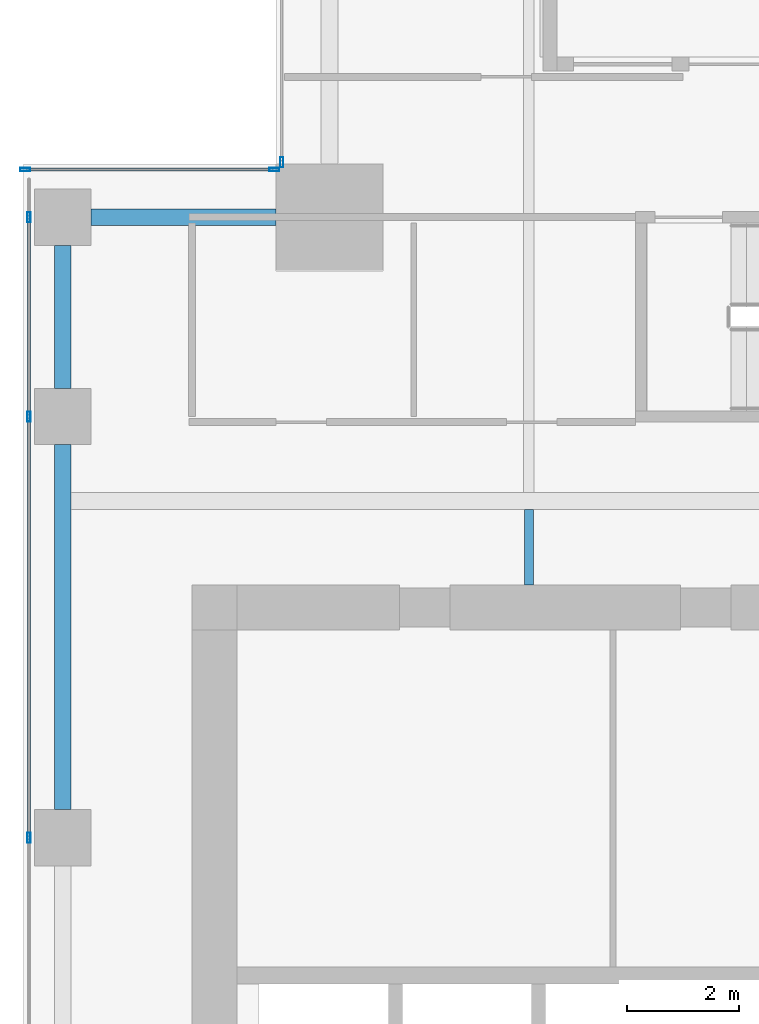
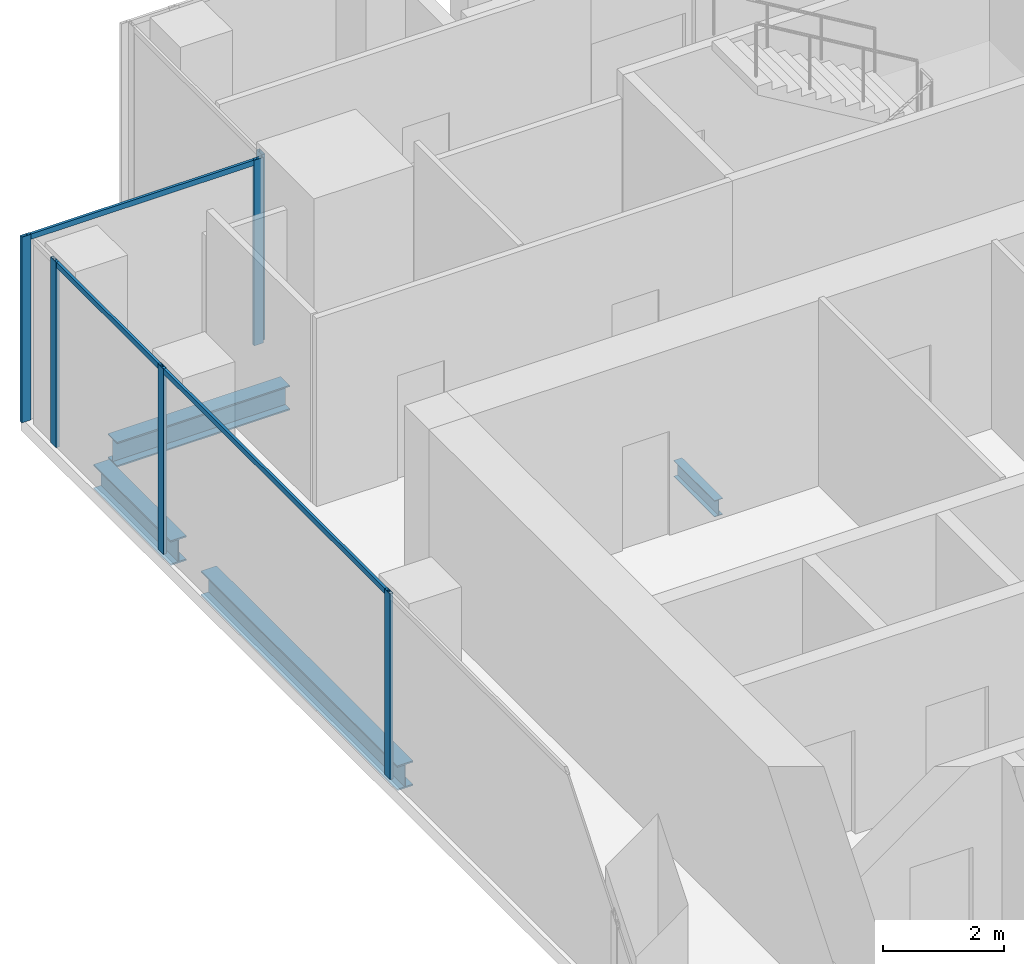
# One storey, part 17 of 38: 9 members, 4 beams, 3 elements without a shape of their own.
"""IFC4 building model written with IfcOpenShell, lengths in metres."""

from ifc_helpers import new_model, si_unit, direction, frame, origin, origin_2d, place, context, subcontext, project, spatial, hollow_rectangle, i_section, extrude, source, transform, mapped, material, material_profile, profile_set, type_object, element, aggregate, save


model = new_model("IFC4")

# Units and contexts
model_context = context("Model", 3, precision=1e-05, world=origin(), true_north=direction((0.0, 1.0)))
body_context = subcontext(model_context, "Body", "Model", "MODEL_VIEW")
ifc_project = project(units=[si_unit("LENGTHUNIT", "METRE"), si_unit("AREAUNIT", "SQUARE_METRE"), si_unit("VOLUMEUNIT", "CUBIC_METRE"), si_unit("PLANEANGLEUNIT", "RADIAN"), si_unit("MASSUNIT", "GRAM", prefix="KILO")], contexts=[model_context])

# Site, building, storey
site_placement = place(None, origin())
site = spatial("IfcSite", under=ifc_project, at=site_placement, CompositionType="ELEMENT")
building_placement = place(site_placement, origin())
building = spatial("IfcBuilding", under=site, at=building_placement, Name="Khomas Fold Tower", CompositionType="ELEMENT")
storey_placement = place(building_placement, frame((0.0, 0.0, 208.699951171875)))
storey = spatial("IfcBuildingStorey", under=building, at=storey_placement, Name="L46", CompositionType="ELEMENT", Elevation=208.699951171875)

# Beams
ifc_material_1 = material(Name="Steel S355", Category="steel")
ifc_material_profile_1 = material_profile(ifc_material_1, i_section(OverallWidth=0.300048828125, OverallDepth=0.5, WebThickness=0.014404296875, FlangeThickness=0.028076171875, at=origin_2d()), Name="HE 500 B")
ifc_profile_set_1 = profile_set([ifc_material_profile_1], Name="Steel S355")
beam_type_1 = type_object("IfcBeamType", Name="HE 500 B spandrel SB3", PredefinedType="SPANDREL", material=ifc_profile_set_1)
shared_shape_1 = source(origin(), body_context, "Body", "SweptSolid", [
    extrude(i_section(OverallWidth=0.300048828125, OverallDepth=0.5, WebThickness=0.014404296875, FlangeThickness=0.028076171875, at=origin_2d()), origin(), (0.0, 0.0, 1.0), 2.550048828125),
])
beam_1_placement = place(storey_placement, frame((3.699951171875, 42.5, -0.5), z_axis=(0.0, 1.0, 0.0), x_axis=(-1.0, 0.0, 0.0)))
element("IfcBeam", 1, at=beam_1_placement, inside=storey, type_object=beam_type_1, Name="SB3", PredefinedType="SPANDREL", context=body_context, shape_type="MappedRepresentation", body=[
    mapped(shared_shape_1, transform((0.0, 0.0, 0.0))),
])
shared_shape_2 = source(origin(), body_context, "Body", "SweptSolid", [
    extrude(i_section(OverallWidth=0.300048828125, OverallDepth=0.5, WebThickness=0.014404296875, FlangeThickness=0.028076171875, at=origin_2d()), origin(), (0.0, 0.0, 1.0), 6.5),
])
beam_2_placement = place(storey_placement, frame((3.699951171875, 35.0, -0.5), z_axis=(0.0, 1.0, 0.0), x_axis=(-1.0, 0.0, 0.0)))
element("IfcBeam", 2, at=beam_2_placement, inside=storey, type_object=beam_type_1, Name="SB3", PredefinedType="SPANDREL", context=body_context, shape_type="MappedRepresentation", body=[
    mapped(shared_shape_2, transform((0.0, 0.0, 0.0))),
])
shared_shape_3 = source(origin(), body_context, "Body", "SweptSolid", [
    extrude(i_section(OverallWidth=0.300048828125, OverallDepth=0.5, WebThickness=0.014404296875, FlangeThickness=0.028076171875, at=origin_2d()), origin(), (0.0, 0.0, 1.0), 3.300048828125),
])
beam_3_placement = place(storey_placement, frame((4.199951171875, 45.550048828125, -0.5), z_axis=(1.0, 0.0, 0.0), x_axis=(0.0, 1.0, 0.0)))
element("IfcBeam", 3, at=beam_3_placement, inside=storey, type_object=beam_type_1, Name="SB3", PredefinedType="SPANDREL", context=body_context, shape_type="MappedRepresentation", body=[
    mapped(shared_shape_3, transform((0.0, 0.0, 0.0))),
])
ifc_material_2 = material(Name="Steel S355", Category="steel")
ifc_material_profile_2 = material_profile(ifc_material_2, i_section(OverallWidth=0.159912109375, OverallDepth=0.330078125, WebThickness=0.007568359375, FlangeThickness=0.011474609375, at=origin_2d()), Name="IPE 330")
ifc_profile_set_2 = profile_set([ifc_material_profile_2], Name="Steel S355")
beam_type_2 = type_object("IfcBeamType", Name="IPE 330 beam JB1", PredefinedType="BEAM", material=ifc_profile_set_2)
shared_shape_4 = source(origin(), body_context, "Body", "SweptSolid", [
    extrude(i_section(OverallWidth=0.159912109375, OverallDepth=0.330078125, WebThickness=0.007568359375, FlangeThickness=0.011474609375, at=origin_2d()), origin(), (0.0, 0.0, 1.0), 1.35009765625),
])
beam_4_placement = place(storey_placement, frame((12.0, 39.0, -0.4150390625), z_axis=(0.0, 1.0, 0.0), x_axis=(-1.0, 0.0, 0.0)))
element("IfcBeam", 4, at=beam_4_placement, inside=storey, type_object=beam_type_2, Name="JB1", PredefinedType="BEAM", context=body_context, shape_type="MappedRepresentation", body=[
    mapped(shared_shape_4, transform((0.0, 0.0, 0.0))),
])

# Curtain wall, member
ifc_material_3 = material(Name="Aluminium framed double glazing", Category="aluminium")
curtain_wall_type = type_object("IfcCurtainWallType", Name="SK-Unitised clear-glass wall, office floors CW2", PredefinedType="NOTDEFINED", material=ifc_material_3)
curtain_wall_1_placement = place(storey_placement, origin())
curtain_wall_1 = element("IfcCurtainWall", 5, at=curtain_wall_1_placement, inside=storey, type_object=curtain_wall_type, Name="CW2 corner return L46 07", PredefinedType="NOTDEFINED")
ifc_material_4 = material(Name="Aluminium", Category="aluminium")
ifc_material_profile_3 = material_profile(ifc_material_4, hollow_rectangle(XDim=0.06005859375, YDim=0.179931640625, WallThickness=0.00390625, at=origin_2d()), Name="SK-Unitised clear-glass wall, office floors mullion CW2-M")
ifc_profile_set_3 = profile_set([ifc_material_profile_3], Name="Aluminium")
member_type_1 = type_object("IfcMemberType", Name="SK-Unitised clear-glass wall, office floors mullion CW2-M", PredefinedType="MULLION", material=ifc_profile_set_3)
shared_shape_5 = source(origin(), body_context, "Body", "SweptSolid", [
    extrude(hollow_rectangle(XDim=0.06005859375, YDim=0.179931640625, WallThickness=0.00390625, at=origin_2d()), origin(), (0.0, 0.0, 1.0), 3.75),
])
member_1_placement = place(storey_placement, frame((7.60009765625, 46.530029296875, 0.0), z_axis=(0.0, 0.0, 1.0), x_axis=(1.0, 0.0, 0.0)))
member_1 = element("IfcMember", 6, at=member_1_placement, type_object=member_type_1, Name="CW2 mullion 2", PredefinedType="MULLION", context=body_context, shape_type="MappedRepresentation", body=[
    mapped(shared_shape_5, transform((0.0, 0.0, 0.0))),
])
aggregate(curtain_wall_1, [member_1])

# Curtain wall, members
curtain_wall_2_placement = place(storey_placement, origin())
curtain_wall_2 = element("IfcCurtainWall", 7, at=curtain_wall_2_placement, inside=storey, type_object=curtain_wall_type, Name="CW2 corner return L46 08", PredefinedType="NOTDEFINED")
member_2_placement = place(storey_placement, frame((7.469970703125, 46.39990234375, 0.0), z_axis=(0.0, 0.0, 1.0), x_axis=(0.0, -1.0, 0.0)))
member_2 = element("IfcMember", 8, at=member_2_placement, type_object=member_type_1, Name="CW2 mullion 1", PredefinedType="MULLION", context=body_context, shape_type="MappedRepresentation", body=[
    mapped(shared_shape_5, transform((0.0, 0.0, 0.0))),
])
member_3_placement = place(storey_placement, frame((3.030029296875, 46.39990234375, 0.0), z_axis=(0.0, 0.0, 1.0), x_axis=(0.0, -1.0, 0.0)))
member_3 = element("IfcMember", 9, at=member_3_placement, type_object=member_type_1, Name="CW2 mullion 2", PredefinedType="MULLION", context=body_context, shape_type="MappedRepresentation", body=[
    mapped(shared_shape_5, transform((0.0, 0.0, 0.0))),
])

curtain_wall_3_placement = place(storey_placement, origin())
curtain_wall_3 = element("IfcCurtainWall", 10, at=curtain_wall_3_placement, inside=storey, type_object=curtain_wall_type, Name="CW2 run L46 09-0", PredefinedType="NOTDEFINED")
member_4_placement = place(storey_placement, frame((3.10009765625, 45.550048828125, 0.0), z_axis=(0.0, 0.0, 1.0), x_axis=(1.0, 0.0, 0.0)))
member_4 = element("IfcMember", 11, at=member_4_placement, type_object=member_type_1, Name="CW2 mullion 2", PredefinedType="MULLION", context=body_context, shape_type="MappedRepresentation", body=[
    mapped(shared_shape_5, transform((0.0, 0.0, 0.0))),
])
member_5_placement = place(storey_placement, frame((3.10009765625, 42.0, 0.0), z_axis=(0.0, 0.0, 1.0), x_axis=(1.0, 0.0, 0.0)))
member_5 = element("IfcMember", 12, at=member_5_placement, type_object=member_type_1, Name="CW2 mullion 3", PredefinedType="MULLION", context=body_context, shape_type="MappedRepresentation", body=[
    mapped(shared_shape_5, transform((0.0, 0.0, 0.0))),
])
member_6_placement = place(storey_placement, frame((3.10009765625, 34.5, 0.0), z_axis=(0.0, 0.0, 1.0), x_axis=(1.0, 0.0, 0.0)))
member_6 = element("IfcMember", 13, at=member_6_placement, type_object=member_type_1, Name="CW2 mullion 4", PredefinedType="MULLION", context=body_context, shape_type="MappedRepresentation", body=[
    mapped(shared_shape_5, transform((0.0, 0.0, 0.0))),
])

# Member
ifc_material_5 = material(Name="Aluminium", Category="aluminium")
ifc_material_profile_4 = material_profile(ifc_material_5, hollow_rectangle(XDim=0.050048828125, YDim=0.110107421875, WallThickness=0.00390625, at=origin_2d()), Name="SK-Unitised clear-glass wall, office floors transom CW2-T")
ifc_profile_set_4 = profile_set([ifc_material_profile_4], Name="Aluminium")
member_type_2 = type_object("IfcMemberType", Name="SK-Unitised clear-glass wall, office floors transom CW2-T", PredefinedType="USERDEFINED", material=ifc_profile_set_4)
shared_shape_6 = source(origin(), body_context, "Body", "SweptSolid", [
    extrude(hollow_rectangle(XDim=0.050048828125, YDim=0.110107421875, WallThickness=0.00390625, at=origin_2d()), origin(), (0.0, 0.0, 1.0), 4.3798828125),
])
member_7_placement = place(storey_placement, frame((7.43994140625, 46.39990234375, 3.695068359375), z_axis=(-1.0, 0.0, 0.0), x_axis=(0.0, -1.0, 0.0)))
member_7 = element("IfcMember", 14, at=member_7_placement, type_object=member_type_2, Name="CW2 transom 1", ObjectType="TRANSOM", PredefinedType="USERDEFINED", context=body_context, shape_type="MappedRepresentation", body=[
    mapped(shared_shape_6, transform((0.0, 0.0, 0.0))),
])

aggregate(curtain_wall_2, [member_2, member_3, member_7])

shared_shape_7 = source(origin(), body_context, "Body", "SweptSolid", [
    extrude(hollow_rectangle(XDim=0.050048828125, YDim=0.110107421875, WallThickness=0.00390625, at=origin_2d()), origin(), (0.0, 0.0, 1.0), 3.489990234375),
])
member_8_placement = place(storey_placement, frame((3.10009765625, 45.52001953125, 3.695068359375), z_axis=(0.0, -1.0, 0.0), x_axis=(1.0, 0.0, 0.0)))
member_8 = element("IfcMember", 15, at=member_8_placement, type_object=member_type_2, Name="CW2 transom 2", ObjectType="TRANSOM", PredefinedType="USERDEFINED", context=body_context, shape_type="MappedRepresentation", body=[
    mapped(shared_shape_7, transform((0.0, 0.0, 0.0))),
])

shared_shape_8 = source(origin(), body_context, "Body", "SweptSolid", [
    extrude(hollow_rectangle(XDim=0.050048828125, YDim=0.110107421875, WallThickness=0.00390625, at=origin_2d()), origin(), (0.0, 0.0, 1.0), 7.43994140625),
])
member_9_placement = place(storey_placement, frame((3.10009765625, 41.969970703125, 3.695068359375), z_axis=(0.0, -1.0, 0.0), x_axis=(1.0, 0.0, 0.0)))
member_9 = element("IfcMember", 16, at=member_9_placement, type_object=member_type_2, Name="CW2 transom 3", ObjectType="TRANSOM", PredefinedType="USERDEFINED", context=body_context, shape_type="MappedRepresentation", body=[
    mapped(shared_shape_8, transform((0.0, 0.0, 0.0))),
])

aggregate(curtain_wall_3, [member_4, member_5, member_6, member_8, member_9])

save(model, "model.ifc")
